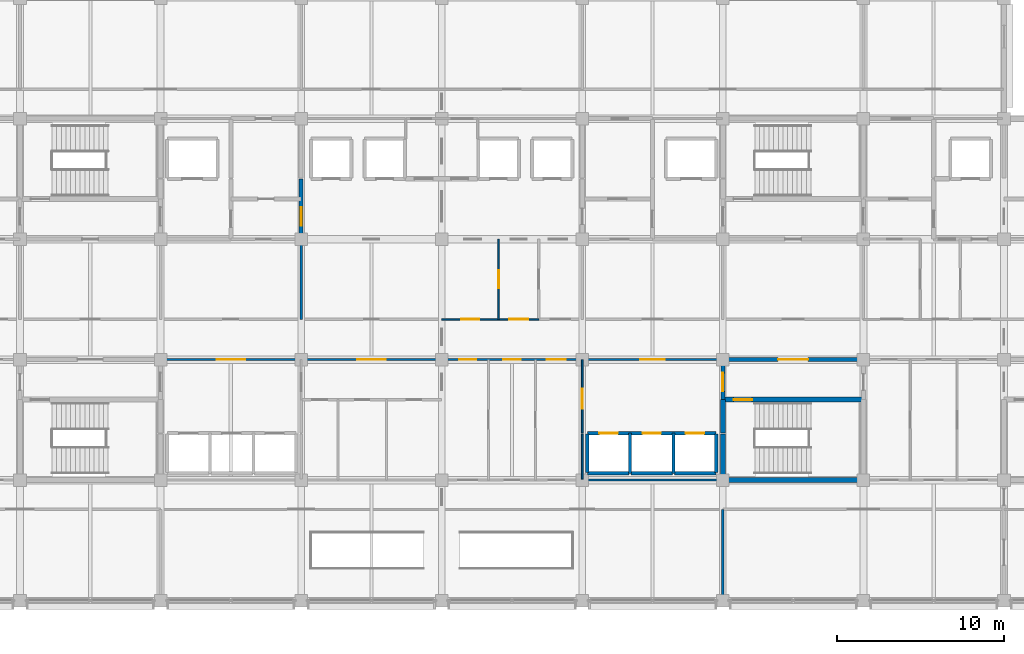
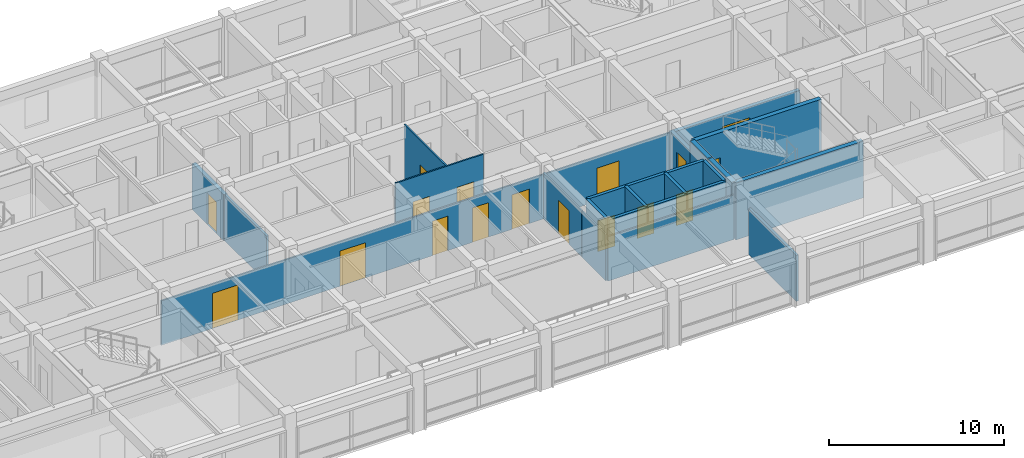
# One storey, part 15 of 23: 23 walls, 17 doors, 17 openings.
"""IFC4 building model written with IfcOpenShell, lengths in metres."""

from ifc_helpers import new_model, si_unit, direction, frame, frame_2d, origin, place, context, subcontext, project, spatial, rectangle, extrude, material, layer, layer_set, type_object, element, fill, save


model = new_model("IFC4")

# Units and contexts
model_context = context("Model", 3, precision=1e-05, world=origin(), true_north=direction((0.0, 1.0)))
body_context = subcontext(model_context, "Body", "Model", "MODEL_VIEW")
ifc_project = project(units=[si_unit("LENGTHUNIT", "METRE"), si_unit("AREAUNIT", "SQUARE_METRE"), si_unit("VOLUMEUNIT", "CUBIC_METRE"), si_unit("PLANEANGLEUNIT", "RADIAN"), si_unit("MASSUNIT", "GRAM", prefix="KILO")], contexts=[model_context])

# Site, building, storey
site_placement = place(None, origin())
site = spatial("IfcSite", under=ifc_project, at=site_placement, CompositionType="ELEMENT")
building_placement = place(site_placement, origin())
building = spatial("IfcBuilding", under=site, at=building_placement, Name="Chengyuan Square Courthouse", CompositionType="ELEMENT")
storey_placement = place(building_placement, frame((0.0, 0.0, 43.5)))
storey = spatial("IfcBuildingStorey", under=building, at=storey_placement, Name="L10", CompositionType="ELEMENT", Elevation=43.5)

# Wall, opening, door
ifc_material_1 = material(Name="Concrete C40", Category="concrete")
ifc_layer_1 = layer(ifc_material_1, 0.25)
ifc_layer_set_1 = layer_set([ifc_layer_1], Name="Concrete C40")
wall_type_1 = type_object("IfcWallType", Name="WL-FW1", PredefinedType="STANDARD", material=ifc_layer_set_1)
wall_1_placement = place(storey_placement, frame((100.800048828125, 93.60009765625, 0.0), z_axis=(0.0, 0.0, 1.0), x_axis=(1.0, 0.0, 0.0)))
wall_1 = element("IfcWall", 1, at=wall_1_placement, inside=storey, type_object=wall_type_1, Name="Interior Wall WL-L10-I3327", PredefinedType="STANDARD", context=body_context, shape_type="SweptSolid", body=[
    extrude(rectangle(XDim=8.39990234375, YDim=0.25, at=frame_2d((4.199951171875, 0.0))), origin(), (0.0, 0.0, 1.0), 3.10009765625),
])
opening_1_placement = place(wall_1_placement, frame((3.300048828125, 0.0, 0.0)))
opening_1 = element("IfcOpeningElement", 2, at=opening_1_placement, cuts=wall_1, Name="Opening DR-2787", PredefinedType="OPENING", context=body_context, shape_type="SweptSolid", body=[
    extrude(rectangle(XDim=1.800048828125, YDim=2.35009765625, at=frame_2d((0.89990234375, 1.175048828125))), frame((0.0, 0.136962890625, 0.0), z_axis=(0.0, -1.0, 0.0), x_axis=(1.0, 0.0, 0.0)), (0.0, 0.0, 1.0), 0.27392578125),
])
ifc_material_2 = material(Name="Steel Q235B Glazed Fire Door", Category="steel")
door_type_1 = type_object("IfcDoorType", Name="DT-18", OperationType="DOUBLE_DOOR_SINGLE_SWING", PredefinedType="DOOR", material=ifc_material_2)
door_1_placement = place(opening_1_placement, frame((1.800048828125, 0.0, 0.0), z_axis=(0.0, 0.0, 1.0), x_axis=(-1.0, 0.0, 0.0)))
door_1 = element("IfcDoor", 3, at=door_1_placement, inside=storey, type_object=door_type_1, Name="Interior Door DR-2787", OperationType="DOUBLE_DOOR_SINGLE_SWING", OverallHeight=2.35009765625, OverallWidth=1.800048828125, PredefinedType="DOOR", context=body_context, shape_type="SweptSolid", body=[
    extrude(rectangle(XDim=1.800048828125, YDim=2.35009765625, at=frame_2d((0.89990234375, 1.175048828125))), frame((0.0, 0.02490234375, 0.0), z_axis=(0.0, -1.0, 0.0), x_axis=(1.0, 0.0, 0.0)), (0.0, 0.0, 1.0), 0.050048828125),
])
fill(opening_1, door_1)

wall_2_placement = place(storey_placement, frame((75.60009765625, 100.800048828125, 0.0), z_axis=(0.0, 0.0, 1.0), x_axis=(0.0, 1.0, 0.0)))
wall_2 = element("IfcWall", 4, at=wall_2_placement, inside=storey, type_object=wall_type_1, Name="Interior Wall WL-L10-I3442", PredefinedType="STANDARD", context=body_context, shape_type="SweptSolid", body=[
    extrude(rectangle(XDim=3.599853515625, YDim=0.25, at=frame_2d((1.7998046875, 0.0))), origin(), (0.0, 0.0, 1.0), 3.199951171875),
])
opening_2_placement = place(wall_2_placement, frame((0.797607421875, 0.0, 0.0)))
opening_2 = element("IfcOpeningElement", 5, at=opening_2_placement, cuts=wall_2, Name="Opening DR-2795", PredefinedType="OPENING", context=body_context, shape_type="SweptSolid", body=[
    extrude(rectangle(XDim=1.10009765625, YDim=2.199951171875, at=frame_2d((0.550048828125, 1.10009765625))), frame((0.0, 0.136962890625, 0.0), z_axis=(0.0, -1.0, 0.0), x_axis=(1.0, 0.0, 0.0)), (0.0, 0.0, 1.0), 0.27392578125),
])
ifc_material_3 = material(Name="Steel Q235B Fire Door", Category="steel")
door_type_2 = type_object("IfcDoorType", Name="DT-10", OperationType="NOTDEFINED", PredefinedType="DOOR", material=ifc_material_3)
door_2_placement = place(opening_2_placement, origin())
door_2 = element("IfcDoor", 6, at=door_2_placement, inside=storey, type_object=door_type_2, Name="Interior Door DR-2795", OperationType="SINGLE_SWING_LEFT", OverallHeight=2.199951171875, OverallWidth=1.10009765625, PredefinedType="DOOR", context=body_context, shape_type="SweptSolid", body=[
    extrude(rectangle(XDim=1.10009765625, YDim=2.199951171875, at=frame_2d((0.550048828125, 1.10009765625))), frame((0.0, 0.02490234375, 0.0), z_axis=(0.0, -1.0, 0.0), x_axis=(1.0, 0.0, 0.0)), (0.0, 0.0, 1.0), 0.050048828125),
])
fill(opening_2, door_2)

wall_3_placement = place(storey_placement, frame((100.800048828125, 91.199951171875, 0.0), z_axis=(0.0, 0.0, 1.0), x_axis=(0.0, 1.0, 0.0)))
wall_3 = element("IfcWall", 7, at=wall_3_placement, inside=storey, type_object=wall_type_1, Name="Interior Wall WL-L10-I3479", PredefinedType="STANDARD", context=body_context, shape_type="SweptSolid", body=[
    extrude(rectangle(XDim=2.400146484375, YDim=0.25, at=frame_2d((1.2001953125, 0.0))), origin(), (0.0, 0.0, 1.0), 3.199951171875),
])
opening_3_placement = place(wall_3_placement, frame((0.50244140625, 0.0, 0.0)))
opening_3 = element("IfcOpeningElement", 8, at=opening_3_placement, cuts=wall_3, Name="Opening DR-2786", PredefinedType="OPENING", context=body_context, shape_type="SweptSolid", body=[
    extrude(rectangle(XDim=1.10009765625, YDim=2.199951171875, at=frame_2d((0.550048828125, 1.10009765625))), frame((0.0, 0.136962890625, 0.0), z_axis=(0.0, -1.0, 0.0), x_axis=(1.0, 0.0, 0.0)), (0.0, 0.0, 1.0), 0.27392578125),
])
door_3_placement = place(opening_3_placement, origin())
door_3 = element("IfcDoor", 9, at=door_3_placement, inside=storey, type_object=door_type_2, Name="Interior Door DR-2786", OperationType="SINGLE_SWING_LEFT", OverallHeight=2.199951171875, OverallWidth=1.10009765625, PredefinedType="DOOR", context=body_context, shape_type="SweptSolid", body=[
    extrude(rectangle(XDim=1.10009765625, YDim=2.199951171875, at=frame_2d((0.550048828125, 1.10009765625))), frame((0.0, 0.02490234375, 0.0), z_axis=(0.0, -1.0, 0.0), x_axis=(1.0, 0.0, 0.0)), (0.0, 0.0, 1.0), 0.050048828125),
])
fill(opening_3, door_3)

# Walls
ifc_material_4 = material(Name="Acoustic Timber-Lined Gypsum Partition", Category="wood")
ifc_layer_2 = layer(ifc_material_4, 0.159912109375)
ifc_layer_set_2 = layer_set([ifc_layer_2], Name="Acoustic Timber-Lined Gypsum Partition")
wall_type_2 = type_object("IfcWallType", Name="WL-PT2", PredefinedType="STANDARD", material=ifc_layer_set_2)
wall_4_placement = place(storey_placement, frame((100.800048828125, 79.239990234375, 0.0), z_axis=(0.0, 0.0, 1.0), x_axis=(0.0, 1.0, 0.0)))
element("IfcWall", 10, at=wall_4_placement, inside=storey, type_object=wall_type_2, Name="Interior Wall WL-L10-I3476", PredefinedType="STANDARD", context=body_context, shape_type="SweptSolid", body=[
    extrude(rectangle(XDim=5.409912109375, YDim=0.159912109375, at=frame_2d((2.705078125, 0.0))), origin(), (0.0, 0.0, 1.0), 3.199951171875),
])
ifc_material_5 = material(Name="Deliberation Room Sound-Insulated Partition")
ifc_layer_3 = layer(ifc_material_5, 0.14990234375)
ifc_layer_set_3 = layer_set([ifc_layer_3], Name="Deliberation Room Sound-Insulated Partition")
wall_type_3 = type_object("IfcWallType", Name="WL-PT3", PredefinedType="STANDARD", material=ifc_layer_set_3)
wall_5_placement = place(storey_placement, frame((75.60009765625, 96.0, 0.0), z_axis=(0.0, 0.0, 1.0), x_axis=(0.0, 1.0, 0.0)))
element("IfcWall", 11, at=wall_5_placement, inside=storey, type_object=wall_type_3, Name="Interior Wall WL-L10-I3441", PredefinedType="STANDARD", context=body_context, shape_type="SweptSolid", body=[
    extrude(rectangle(XDim=4.800048828125, YDim=0.14990234375, at=frame_2d((2.39990234375, 0.0))), origin(), (0.0, 0.0, 1.0), 3.199951171875),
])
ifc_material_6 = material(Name="Gypsum Plasterboard Acoustic Stud Partition")
ifc_layer_4 = layer(ifc_material_6, 0.10009765625)
ifc_layer_set_4 = layer_set([ifc_layer_4], Name="Gypsum Plasterboard Acoustic Stud Partition")
wall_type_4 = type_object("IfcWallType", Name="WL-PT6", PredefinedType="STANDARD", material=ifc_layer_set_4)
wall_6_placement = place(storey_placement, frame((92.449951171875, 86.39990234375, 0.0), z_axis=(0.0, 0.0, 1.0), x_axis=(1.0, 0.0, 0.0)))
element("IfcWall", 12, at=wall_6_placement, inside=storey, type_object=wall_type_4, Name="Interior Wall WL-L10-I3306", PredefinedType="STANDARD", context=body_context, shape_type="SweptSolid", body=[
    extrude(rectangle(XDim=8.300048828125, YDim=0.10009765625, at=frame_2d((4.14990234375, 0.0))), origin(), (0.0, 0.0, 1.0), 3.10009765625),
])

# Wall, openings, doors
wall_7_placement = place(storey_placement, frame((67.199951171875, 93.60009765625, 0.0), z_axis=(0.0, 0.0, 1.0), x_axis=(1.0, 0.0, 0.0)))
wall_7 = element("IfcWall", 13, at=wall_7_placement, inside=storey, type_object=wall_type_4, Name="Interior Wall WL-L10-I3326", PredefinedType="STANDARD", context=body_context, shape_type="SweptSolid", body=[
    extrude(rectangle(XDim=33.60009765625, YDim=0.10009765625, at=frame_2d((16.800048828125, 0.0))), origin(), (0.0, 0.0, 1.0), 3.10009765625),
])
opening_4_placement = place(wall_7_placement, frame((3.35009765625, 0.0, 0.0)))
opening_4 = element("IfcOpeningElement", 14, at=opening_4_placement, cuts=wall_7, Name="Opening DR-2819", PredefinedType="OPENING", context=body_context, shape_type="SweptSolid", body=[
    extrude(rectangle(XDim=1.699951171875, YDim=2.449951171875, at=frame_2d((0.85009765625, 1.22509765625))), frame((0.0, 0.06201171875, 0.0), z_axis=(0.0, -1.0, 0.0), x_axis=(1.0, 0.0, 0.0)), (0.0, 0.0, 1.0), 0.1240234375),
])
opening_5_placement = place(wall_7_placement, frame((28.675048828125, 0.0, 0.0)))
opening_5 = element("IfcOpeningElement", 15, at=opening_5_placement, cuts=wall_7, Name="Opening DR-2820", PredefinedType="OPENING", context=body_context, shape_type="SweptSolid", body=[
    extrude(rectangle(XDim=1.449951171875, YDim=2.300048828125, at=frame_2d((0.72509765625, 1.14990234375))), frame((0.0, 0.06201171875, 0.0), z_axis=(0.0, -1.0, 0.0), x_axis=(1.0, 0.0, 0.0)), (0.0, 0.0, 1.0), 0.1240234375),
])
opening_6_placement = place(wall_7_placement, frame((11.75, 0.0, 0.0)))
opening_6 = element("IfcOpeningElement", 16, at=opening_6_placement, cuts=wall_7, Name="Opening DR-2837", PredefinedType="OPENING", context=body_context, shape_type="SweptSolid", body=[
    extrude(rectangle(XDim=1.699951171875, YDim=2.449951171875, at=frame_2d((0.85009765625, 1.22509765625))), frame((0.0, 0.06201171875, 0.0), z_axis=(0.0, -1.0, 0.0), x_axis=(1.0, 0.0, 0.0)), (0.0, 0.0, 1.0), 0.1240234375),
])
opening_7_placement = place(wall_7_placement, frame((17.83740234375, 0.0, 0.0)))
opening_7 = element("IfcOpeningElement", 17, at=opening_7_placement, cuts=wall_7, Name="Opening DR-2860", PredefinedType="OPENING", context=body_context, shape_type="SweptSolid", body=[
    extrude(rectangle(XDim=1.02001953125, YDim=2.39990234375, at=frame_2d((0.510009765625, 1.199951171875))), frame((0.0, 0.06201171875, 0.0), z_axis=(0.0, -1.0, 0.0), x_axis=(1.0, 0.0, 0.0)), (0.0, 0.0, 1.0), 0.1240234375),
])
opening_8_placement = place(wall_7_placement, frame((20.469970703125, 0.0, 0.0)))
opening_8 = element("IfcOpeningElement", 18, at=opening_8_placement, cuts=wall_7, Name="Opening DR-2861", PredefinedType="OPENING", context=body_context, shape_type="SweptSolid", body=[
    extrude(rectangle(XDim=1.06005859375, YDim=2.39990234375, at=frame_2d((0.530029296875, 1.199951171875))), frame((0.0, 0.06201171875, 0.0), z_axis=(0.0, -1.0, 0.0), x_axis=(1.0, 0.0, 0.0)), (0.0, 0.0, 1.0), 0.1240234375),
])
opening_9_placement = place(wall_7_placement, frame((23.08251953125, 0.0, 0.0)))
opening_9 = element("IfcOpeningElement", 19, at=opening_9_placement, cuts=wall_7, Name="Opening DR-2862", PredefinedType="OPENING", context=body_context, shape_type="SweptSolid", body=[
    extrude(rectangle(XDim=1.139892578125, YDim=2.39990234375, at=frame_2d((0.56982421875, 1.199951171875))), frame((0.0, 0.06201171875, 0.0), z_axis=(0.0, -1.0, 0.0), x_axis=(1.0, 0.0, 0.0)), (0.0, 0.0, 1.0), 0.1240234375),
])
ifc_material_7 = material(Name="Acoustic Larch Veneer Double Door")
door_type_3 = type_object("IfcDoorType", Name="DT-24", OperationType="DOUBLE_DOOR_SINGLE_SWING", PredefinedType="DOOR", material=ifc_material_7)
door_4_placement = place(opening_4_placement, frame((1.699951171875, 0.0, 0.0), z_axis=(0.0, 0.0, 1.0), x_axis=(-1.0, 0.0, 0.0)))
door_4 = element("IfcDoor", 20, at=door_4_placement, inside=storey, type_object=door_type_3, Name="Interior Door DR-2819", OperationType="DOUBLE_DOOR_SINGLE_SWING", OverallHeight=2.449951171875, OverallWidth=1.699951171875, PredefinedType="DOOR", context=body_context, shape_type="SweptSolid", body=[
    extrude(rectangle(XDim=1.699951171875, YDim=2.449951171875, at=frame_2d((0.85009765625, 1.22509765625))), frame((0.0, 0.02490234375, 0.0), z_axis=(0.0, -1.0, 0.0), x_axis=(1.0, 0.0, 0.0)), (0.0, 0.0, 1.0), 0.050048828125),
])
fill(opening_4, door_4)
door_5_placement = place(opening_6_placement, frame((1.699951171875, 0.0, 0.0), z_axis=(0.0, 0.0, 1.0), x_axis=(-1.0, 0.0, 0.0)))
door_5 = element("IfcDoor", 21, at=door_5_placement, inside=storey, type_object=door_type_3, Name="Interior Door DR-2837", OperationType="DOUBLE_DOOR_SINGLE_SWING", OverallHeight=2.449951171875, OverallWidth=1.699951171875, PredefinedType="DOOR", context=body_context, shape_type="SweptSolid", body=[
    extrude(rectangle(XDim=1.699951171875, YDim=2.449951171875, at=frame_2d((0.85009765625, 1.22509765625))), frame((0.0, 0.02490234375, 0.0), z_axis=(0.0, -1.0, 0.0), x_axis=(1.0, 0.0, 0.0)), (0.0, 0.0, 1.0), 0.050048828125),
])
fill(opening_6, door_5)
door_type_4 = type_object("IfcDoorType", Name="DT-25", OperationType="DOUBLE_DOOR_SINGLE_SWING", PredefinedType="DOOR", material=ifc_material_7)
door_6_placement = place(opening_5_placement, frame((1.449951171875, 0.0, 0.0), z_axis=(0.0, 0.0, 1.0), x_axis=(-1.0, 0.0, 0.0)))
door_6 = element("IfcDoor", 22, at=door_6_placement, inside=storey, type_object=door_type_4, Name="Interior Door DR-2820", OperationType="DOUBLE_DOOR_SINGLE_SWING", OverallHeight=2.300048828125, OverallWidth=1.449951171875, PredefinedType="DOOR", context=body_context, shape_type="SweptSolid", body=[
    extrude(rectangle(XDim=1.449951171875, YDim=2.300048828125, at=frame_2d((0.72509765625, 1.14990234375))), frame((0.0, 0.02490234375, 0.0), z_axis=(0.0, -1.0, 0.0), x_axis=(1.0, 0.0, 0.0)), (0.0, 0.0, 1.0), 0.050048828125),
])
fill(opening_5, door_6)
ifc_material_8 = material(Name="Acoustic Solid-Core Timber Door", Category="wood")
door_type_5 = type_object("IfcDoorType", Name="DT-41", OperationType="NOTDEFINED", PredefinedType="DOOR", material=ifc_material_8)
door_7_placement = place(opening_7_placement, origin())
door_7 = element("IfcDoor", 23, at=door_7_placement, inside=storey, type_object=door_type_5, Name="Interior Door DR-2860", OperationType="SINGLE_SWING_RIGHT", OverallHeight=2.39990234375, OverallWidth=1.02001953125, PredefinedType="DOOR", context=body_context, shape_type="SweptSolid", body=[
    extrude(rectangle(XDim=1.02001953125, YDim=2.39990234375, at=frame_2d((0.510009765625, 1.199951171875))), frame((0.0, 0.02490234375, 0.0), z_axis=(0.0, -1.0, 0.0), x_axis=(1.0, 0.0, 0.0)), (0.0, 0.0, 1.0), 0.050048828125),
])
fill(opening_7, door_7)
door_type_6 = type_object("IfcDoorType", Name="DT-42", OperationType="NOTDEFINED", PredefinedType="DOOR", material=ifc_material_8)
door_8_placement = place(opening_8_placement, origin())
door_8 = element("IfcDoor", 24, at=door_8_placement, inside=storey, type_object=door_type_6, Name="Interior Door DR-2861", OperationType="SINGLE_SWING_LEFT", OverallHeight=2.39990234375, OverallWidth=1.06005859375, PredefinedType="DOOR", context=body_context, shape_type="SweptSolid", body=[
    extrude(rectangle(XDim=1.06005859375, YDim=2.39990234375, at=frame_2d((0.530029296875, 1.199951171875))), frame((0.0, 0.02490234375, 0.0), z_axis=(0.0, -1.0, 0.0), x_axis=(1.0, 0.0, 0.0)), (0.0, 0.0, 1.0), 0.050048828125),
])
fill(opening_8, door_8)
door_type_7 = type_object("IfcDoorType", Name="DT-43", OperationType="NOTDEFINED", PredefinedType="DOOR", material=ifc_material_8)
door_9_placement = place(opening_9_placement, origin())
door_9 = element("IfcDoor", 25, at=door_9_placement, inside=storey, type_object=door_type_7, Name="Interior Door DR-2862", OperationType="SINGLE_SWING_RIGHT", OverallHeight=2.39990234375, OverallWidth=1.139892578125, PredefinedType="DOOR", context=body_context, shape_type="SweptSolid", body=[
    extrude(rectangle(XDim=1.139892578125, YDim=2.39990234375, at=frame_2d((0.56982421875, 1.199951171875))), frame((0.0, 0.02490234375, 0.0), z_axis=(0.0, -1.0, 0.0), x_axis=(1.0, 0.0, 0.0)), (0.0, 0.0, 1.0), 0.050048828125),
])
fill(opening_9, door_9)

wall_8_placement = place(storey_placement, frame((84.0, 96.0, 0.0), z_axis=(0.0, 0.0, 1.0), x_axis=(1.0, 0.0, 0.0)))
wall_8 = element("IfcWall", 26, at=wall_8_placement, inside=storey, type_object=wall_type_4, Name="Interior Wall WL-L10-I3333", PredefinedType="STANDARD", context=body_context, shape_type="SweptSolid", body=[
    extrude(rectangle(XDim=5.800048828125, YDim=0.10009765625, at=frame_2d((2.89990234375, 0.0))), origin(), (0.0, 0.0, 1.0), 3.949951171875),
])
opening_10_placement = place(wall_8_placement, frame((1.159912109375, 0.0, 0.0)))
opening_10 = element("IfcOpeningElement", 27, at=opening_10_placement, cuts=wall_8, Name="Opening DR-2852", PredefinedType="OPENING", context=body_context, shape_type="SweptSolid", body=[
    extrude(rectangle(XDim=1.080078125, YDim=2.25, at=frame_2d((0.5400390625, 1.125))), frame((0.0, 0.06201171875, 0.0), z_axis=(0.0, -1.0, 0.0), x_axis=(1.0, 0.0, 0.0)), (0.0, 0.0, 1.0), 0.1240234375),
])
opening_11_placement = place(wall_8_placement, frame((4.0400390625, 0.0, 0.0)))
opening_11 = element("IfcOpeningElement", 28, at=opening_11_placement, cuts=wall_8, Name="Opening DR-2853", PredefinedType="OPENING", context=body_context, shape_type="SweptSolid", body=[
    extrude(rectangle(XDim=1.1201171875, YDim=2.25, at=frame_2d((0.56005859375, 1.125))), frame((0.0, 0.06201171875, 0.0), z_axis=(0.0, -1.0, 0.0), x_axis=(1.0, 0.0, 0.0)), (0.0, 0.0, 1.0), 0.1240234375),
])
door_type_8 = type_object("IfcDoorType", Name="DT-33", OperationType="NOTDEFINED", PredefinedType="DOOR", material=ifc_material_8)
door_10_placement = place(opening_10_placement, origin())
door_10 = element("IfcDoor", 29, at=door_10_placement, inside=storey, type_object=door_type_8, Name="Interior Door DR-2852", OperationType="SINGLE_SWING_RIGHT", OverallHeight=2.25, OverallWidth=1.080078125, PredefinedType="DOOR", context=body_context, shape_type="SweptSolid", body=[
    extrude(rectangle(XDim=1.080078125, YDim=2.25, at=frame_2d((0.5400390625, 1.125))), frame((0.0, 0.02490234375, 0.0), z_axis=(0.0, -1.0, 0.0), x_axis=(1.0, 0.0, 0.0)), (0.0, 0.0, 1.0), 0.050048828125),
])
fill(opening_10, door_10)
door_type_9 = type_object("IfcDoorType", Name="DT-34", OperationType="NOTDEFINED", PredefinedType="DOOR", material=ifc_material_8)
door_11_placement = place(opening_11_placement, origin())
door_11 = element("IfcDoor", 30, at=door_11_placement, inside=storey, type_object=door_type_9, Name="Interior Door DR-2853", OperationType="SINGLE_SWING_LEFT", OverallHeight=2.25, OverallWidth=1.1201171875, PredefinedType="DOOR", context=body_context, shape_type="SweptSolid", body=[
    extrude(rectangle(XDim=1.1201171875, YDim=2.25, at=frame_2d((0.56005859375, 1.125))), frame((0.0, 0.02490234375, 0.0), z_axis=(0.0, -1.0, 0.0), x_axis=(1.0, 0.0, 0.0)), (0.0, 0.0, 1.0), 0.050048828125),
])
fill(opening_11, door_11)

# Wall, opening, door
wall_9_placement = place(storey_placement, frame((87.39990234375, 96.0, 0.0), z_axis=(0.0, 0.0, 1.0), x_axis=(0.0, 1.0, 0.0)))
wall_9 = element("IfcWall", 31, at=wall_9_placement, inside=storey, type_object=wall_type_4, Name="Interior Wall WL-L10-I3456", PredefinedType="STANDARD", context=body_context, shape_type="SweptSolid", body=[
    extrude(rectangle(XDim=4.800048828125, YDim=0.10009765625, at=frame_2d((2.39990234375, 0.0))), origin(), (0.0, 0.0, 1.0), 3.949951171875),
])
opening_12_placement = place(wall_9_placement, frame((1.860107421875, 0.0, 0.0)))
opening_12 = element("IfcOpeningElement", 32, at=opening_12_placement, cuts=wall_9, Name="Opening DR-2869", PredefinedType="OPENING", context=body_context, shape_type="SweptSolid", body=[
    extrude(rectangle(XDim=1.080078125, YDim=2.25, at=frame_2d((0.5400390625, 1.125))), frame((0.0, 0.06201171875, 0.0), z_axis=(0.0, -1.0, 0.0), x_axis=(1.0, 0.0, 0.0)), (0.0, 0.0, 1.0), 0.1240234375),
])
door_12_placement = place(opening_12_placement, origin())
door_12 = element("IfcDoor", 33, at=door_12_placement, inside=storey, type_object=door_type_8, Name="Interior Door DR-2869", OperationType="SINGLE_SWING_LEFT", OverallHeight=2.25, OverallWidth=1.080078125, PredefinedType="DOOR", context=body_context, shape_type="SweptSolid", body=[
    extrude(rectangle(XDim=1.080078125, YDim=2.25, at=frame_2d((0.5400390625, 1.125))), frame((0.0, 0.02490234375, 0.0), z_axis=(0.0, -1.0, 0.0), x_axis=(1.0, 0.0, 0.0)), (0.0, 0.0, 1.0), 0.050048828125),
])
fill(opening_12, door_12)

# Wall
wall_10_placement = place(storey_placement, frame((92.39990234375, 86.449951171875, 0.0), z_axis=(0.0, 0.0, 1.0), x_axis=(0.0, 1.0, 0.0)))
element("IfcWall", 34, at=wall_10_placement, inside=storey, type_object=wall_type_4, Name="Interior Wall WL-L10-I3462", PredefinedType="STANDARD", context=body_context, shape_type="SweptSolid", body=[
    extrude(rectangle(XDim=2.699951171875, YDim=0.10009765625, at=frame_2d((1.35009765625, 0.0))), origin(), (0.0, 0.0, 1.0), 3.199951171875),
])

# Wall, opening, door
wall_11_placement = place(storey_placement, frame((92.39990234375, 89.199951171875, 0.0), z_axis=(0.0, 0.0, 1.0), x_axis=(0.0, 1.0, 0.0)))
wall_11 = element("IfcWall", 35, at=wall_11_placement, inside=storey, type_object=wall_type_4, Name="Interior Wall WL-L10-I3463", PredefinedType="STANDARD", context=body_context, shape_type="SweptSolid", body=[
    extrude(rectangle(XDim=4.400146484375, YDim=0.10009765625, at=frame_2d((2.2001953125, 0.0))), origin(), (0.0, 0.0, 1.0), 3.199951171875),
])
opening_13_placement = place(wall_11_placement, frame((1.452392578125, 0.0, 0.0)))
opening_13 = element("IfcOpeningElement", 36, at=opening_13_placement, cuts=wall_11, Name="Opening DR-2821", PredefinedType="OPENING", context=body_context, shape_type="SweptSolid", body=[
    extrude(rectangle(XDim=1.199951171875, YDim=2.35009765625, at=frame_2d((0.60009765625, 1.175048828125))), frame((0.0, 0.06201171875, 0.0), z_axis=(0.0, -1.0, 0.0), x_axis=(1.0, 0.0, 0.0)), (0.0, 0.0, 1.0), 0.1240234375),
])
door_type_10 = type_object("IfcDoorType", Name="DT-36", OperationType="NOTDEFINED", PredefinedType="DOOR", material=ifc_material_8)
door_13_placement = place(opening_13_placement, origin())
door_13 = element("IfcDoor", 37, at=door_13_placement, inside=storey, type_object=door_type_10, Name="Interior Door DR-2821", OperationType="SINGLE_SWING_RIGHT", OverallHeight=2.35009765625, OverallWidth=1.199951171875, PredefinedType="DOOR", context=body_context, shape_type="SweptSolid", body=[
    extrude(rectangle(XDim=1.199951171875, YDim=2.35009765625, at=frame_2d((0.60009765625, 1.175048828125))), frame((0.0, 0.02490234375, 0.0), z_axis=(0.0, -1.0, 0.0), x_axis=(1.0, 0.0, 0.0)), (0.0, 0.0, 1.0), 0.050048828125),
])
fill(opening_13, door_13)

# Walls
ifc_material_9 = material(Name="Reinforced Masonry Shaft Enclosure", Category="masonry")
ifc_layer_5 = layer(ifc_material_9, 0.199951171875)
ifc_layer_set_5 = layer_set([ifc_layer_5], Name="Reinforced Masonry Shaft Enclosure")
wall_type_5 = type_object("IfcWallType", Name="WL-SH1", PredefinedType="STANDARD", material=ifc_layer_set_5)
for number, where, z_axis, x_axis, name in (
    (38, (92.699951171875, 86.800048828125, 0.0), (0.0, 0.0, 1.0), (1.0, 0.0, 0.0), "Interior Wall WL-L10-I3313"),
    (39, (95.300048828125, 86.800048828125, 0.0), (0.0, 0.0, 1.0), (1.0, 0.0, 0.0), "Interior Wall WL-L10-I3314"),
    (40, (97.89990234375, 86.800048828125, 0.0), (0.0, 0.0, 1.0), (1.0, 0.0, 0.0), "Interior Wall WL-L10-I3315"),
):
    element("IfcWall", number, at=place(storey_placement, frame(where, z_axis=z_axis, x_axis=x_axis)), inside=storey, type_object=wall_type_5, Name=name, PredefinedType="STANDARD", context=body_context, shape_type="SweptSolid", body=[
        extrude(rectangle(XDim=2.5, YDim=0.199951171875, at=frame_2d((1.25, 0.0))), origin(), (0.0, 0.0, 1.0), 3.949951171875),
    ])

# Wall, openings, doors
wall_12_placement = place(storey_placement, frame((92.699951171875, 89.199951171875, 0.0), z_axis=(0.0, 0.0, 1.0), x_axis=(1.0, 0.0, 0.0)))
wall_12 = element("IfcWall", 41, at=wall_12_placement, inside=storey, type_object=wall_type_5, Name="Interior Wall WL-L10-I3317", PredefinedType="STANDARD", context=body_context, shape_type="SweptSolid", body=[
    extrude(rectangle(XDim=7.699951171875, YDim=0.199951171875, at=frame_2d((3.85009765625, 0.0))), origin(), (0.0, 0.0, 1.0), 3.949951171875),
])
opening_14_placement = place(wall_12_placement, frame((0.72509765625, 0.0, 0.0)))
opening_14 = element("IfcOpeningElement", 42, at=opening_14_placement, cuts=wall_12, Name="Opening LD-176", PredefinedType="OPENING", context=body_context, shape_type="SweptSolid", body=[
    extrude(rectangle(XDim=1.10009765625, YDim=2.14990234375, at=frame_2d((0.550048828125, 1.074951171875))), frame((0.0, 0.112060546875, 0.0), z_axis=(0.0, -1.0, 0.0), x_axis=(1.0, 0.0, 0.0)), (0.0, 0.0, 1.0), 0.223876953125),
])
opening_15_placement = place(wall_12_placement, frame((3.300048828125, 0.0, 0.0)))
opening_15 = element("IfcOpeningElement", 43, at=opening_15_placement, cuts=wall_12, Name="Opening LD-177", PredefinedType="OPENING", context=body_context, shape_type="SweptSolid", body=[
    extrude(rectangle(XDim=1.10009765625, YDim=2.14990234375, at=frame_2d((0.550048828125, 1.074951171875))), frame((0.0, 0.112060546875, 0.0), z_axis=(0.0, -1.0, 0.0), x_axis=(1.0, 0.0, 0.0)), (0.0, 0.0, 1.0), 0.223876953125),
])
opening_16_placement = place(wall_12_placement, frame((5.875, 0.0, 0.0)))
opening_16 = element("IfcOpeningElement", 44, at=opening_16_placement, cuts=wall_12, Name="Opening LD-178", PredefinedType="OPENING", context=body_context, shape_type="SweptSolid", body=[
    extrude(rectangle(XDim=1.10009765625, YDim=2.14990234375, at=frame_2d((0.550048828125, 1.074951171875))), frame((0.0, 0.112060546875, 0.0), z_axis=(0.0, -1.0, 0.0), x_axis=(1.0, 0.0, 0.0)), (0.0, 0.0, 1.0), 0.223876953125),
])
ifc_material_10 = material(Name="Stainless Steel S30408 Lift Landing Door", Category="steel")
door_type_11 = type_object("IfcDoorType", Name="DT-06", OperationType="DOUBLE_DOOR_SLIDING", PredefinedType="DOOR", material=ifc_material_10)
door_14_placement = place(opening_14_placement, origin())
door_14 = element("IfcDoor", 45, at=door_14_placement, inside=storey, type_object=door_type_11, Name="Lift Landing Door LF-P4 L10", OperationType="DOUBLE_DOOR_SLIDING", OverallHeight=2.14990234375, OverallWidth=1.10009765625, PredefinedType="DOOR", context=body_context, shape_type="SweptSolid", body=[
    extrude(rectangle(XDim=1.10009765625, YDim=2.14990234375, at=frame_2d((0.550048828125, 1.074951171875))), frame((0.0, 0.02490234375, 0.0), z_axis=(0.0, -1.0, 0.0), x_axis=(1.0, 0.0, 0.0)), (0.0, 0.0, 1.0), 0.050048828125),
])
fill(opening_14, door_14)
door_15_placement = place(opening_15_placement, origin())
door_15 = element("IfcDoor", 46, at=door_15_placement, inside=storey, type_object=door_type_11, Name="Lift Landing Door LF-P5 L10", OperationType="DOUBLE_DOOR_SLIDING", OverallHeight=2.14990234375, OverallWidth=1.10009765625, PredefinedType="DOOR", context=body_context, shape_type="SweptSolid", body=[
    extrude(rectangle(XDim=1.10009765625, YDim=2.14990234375, at=frame_2d((0.550048828125, 1.074951171875))), frame((0.0, 0.02490234375, 0.0), z_axis=(0.0, -1.0, 0.0), x_axis=(1.0, 0.0, 0.0)), (0.0, 0.0, 1.0), 0.050048828125),
])
fill(opening_15, door_15)
door_16_placement = place(opening_16_placement, origin())
door_16 = element("IfcDoor", 47, at=door_16_placement, inside=storey, type_object=door_type_11, Name="Lift Landing Door LF-P6 L10", OperationType="DOUBLE_DOOR_SLIDING", OverallHeight=2.14990234375, OverallWidth=1.10009765625, PredefinedType="DOOR", context=body_context, shape_type="SweptSolid", body=[
    extrude(rectangle(XDim=1.10009765625, YDim=2.14990234375, at=frame_2d((0.550048828125, 1.074951171875))), frame((0.0, 0.02490234375, 0.0), z_axis=(0.0, -1.0, 0.0), x_axis=(1.0, 0.0, 0.0)), (0.0, 0.0, 1.0), 0.050048828125),
])
fill(opening_16, door_16)

# Walls
wall_13_placement = place(storey_placement, frame((92.699951171875, 86.85009765625, 0.0), z_axis=(0.0, 0.0, 1.0), x_axis=(0.0, 1.0, 0.0)))
element("IfcWall", 48, at=wall_13_placement, inside=storey, type_object=wall_type_5, Name="Interior Wall WL-L10-I3468", PredefinedType="STANDARD", context=body_context, shape_type="SweptSolid", body=[
    extrude(rectangle(XDim=2.2998046875, YDim=0.199951171875, at=frame_2d((1.14990234375, 0.0))), origin(), (0.0, 0.0, 1.0), 3.949951171875),
])
for number, where, z_axis, x_axis, name in (
    (49, (95.25, 86.800048828125, 0.0), (0.0, 0.0, 1.0), (0.0, 1.0, 0.0), "Interior Wall WL-L10-I3469"),
    (50, (97.85009765625, 86.800048828125, 0.0), (0.0, 0.0, 1.0), (0.0, 1.0, 0.0), "Interior Wall WL-L10-I3473"),
):
    element("IfcWall", number, at=place(storey_placement, frame(where, z_axis=z_axis, x_axis=x_axis)), inside=storey, type_object=wall_type_5, Name=name, PredefinedType="STANDARD", context=body_context, shape_type="SweptSolid", body=[
        extrude(rectangle(XDim=2.39990234375, YDim=0.199951171875, at=frame_2d((1.199951171875, 0.0))), origin(), (0.0, 0.0, 1.0), 3.949951171875),
    ])
wall_14_placement = place(storey_placement, frame((100.39990234375, 86.85009765625, 0.0), z_axis=(0.0, 0.0, 1.0), x_axis=(0.0, 1.0, 0.0)))
element("IfcWall", 51, at=wall_14_placement, inside=storey, type_object=wall_type_5, Name="Interior Wall WL-L10-I3474", PredefinedType="STANDARD", context=body_context, shape_type="SweptSolid", body=[
    extrude(rectangle(XDim=2.2998046875, YDim=0.199951171875, at=frame_2d((1.14990234375, 0.0))), origin(), (0.0, 0.0, 1.0), 3.949951171875),
])
ifc_layer_6 = layer(ifc_material_1, 0.300048828125)
ifc_layer_set_6 = layer_set([ifc_layer_6], Name="Concrete C40")
wall_type_6 = type_object("IfcWallType", Name="WL-SW2", PredefinedType="SHEAR", material=ifc_layer_set_6)
wall_15_placement = place(storey_placement, frame((100.800048828125, 86.39990234375, 0.0), z_axis=(0.0, 0.0, 1.0), x_axis=(1.0, 0.0, 0.0)))
element("IfcWall", 52, at=wall_15_placement, inside=storey, type_object=wall_type_6, Name="Interior Wall WL-L10-I3307", PredefinedType="SHEAR", context=body_context, shape_type="SweptSolid", body=[
    extrude(rectangle(XDim=8.39990234375, YDim=0.300048828125, at=frame_2d((4.199951171875, 0.0))), origin(), (0.0, 0.0, 1.0), 3.949951171875),
])

# Wall, opening, door
wall_16_placement = place(storey_placement, frame((100.800048828125, 91.199951171875, 0.0), z_axis=(0.0, 0.0, 1.0), x_axis=(1.0, 0.0, 0.0)))
wall_16 = element("IfcWall", 53, at=wall_16_placement, inside=storey, type_object=wall_type_6, Name="Interior Wall WL-L10-I3321", PredefinedType="SHEAR", context=body_context, shape_type="SweptSolid", body=[
    extrude(rectangle(XDim=8.39990234375, YDim=0.300048828125, at=frame_2d((4.199951171875, 0.0))), origin(), (0.0, 0.0, 1.0), 3.949951171875),
])
opening_17_placement = place(wall_16_placement, frame((0.64990234375, 0.0, 0.0)))
opening_17 = element("IfcOpeningElement", 54, at=opening_17_placement, cuts=wall_16, Name="Opening DR-2774", PredefinedType="OPENING", context=body_context, shape_type="SweptSolid", body=[
    extrude(rectangle(XDim=1.10009765625, YDim=2.199951171875, at=frame_2d((0.550048828125, 1.10009765625))), frame((0.0, 0.162109375, 0.0), z_axis=(0.0, -1.0, 0.0), x_axis=(1.0, 0.0, 0.0)), (0.0, 0.0, 1.0), 0.323974609375),
])
door_17_placement = place(opening_17_placement, frame((1.10009765625, 0.0, 0.0), z_axis=(0.0, 0.0, 1.0), x_axis=(-1.0, 0.0, 0.0)))
door_17 = element("IfcDoor", 55, at=door_17_placement, inside=storey, type_object=door_type_2, Name="Smoke-Proof Stairwell Fire Door ST-4 DR-2774", OperationType="SINGLE_SWING_RIGHT", OverallHeight=2.199951171875, OverallWidth=1.10009765625, PredefinedType="DOOR", context=body_context, shape_type="SweptSolid", body=[
    extrude(rectangle(XDim=1.10009765625, YDim=2.199951171875, at=frame_2d((0.550048828125, 1.10009765625))), frame((0.0, 0.02490234375, 0.0), z_axis=(0.0, -1.0, 0.0), x_axis=(1.0, 0.0, 0.0)), (0.0, 0.0, 1.0), 0.050048828125),
])
fill(opening_17, door_17)

# Walls
wall_17_placement = place(storey_placement, frame((100.800048828125, 86.449951171875, 0.0), z_axis=(0.0, 0.0, 1.0), x_axis=(0.0, 1.0, 0.0)))
element("IfcWall", 56, at=wall_17_placement, inside=storey, type_object=wall_type_6, Name="Interior Wall WL-L10-I3477", PredefinedType="SHEAR", context=body_context, shape_type="SweptSolid", body=[
    extrude(rectangle(XDim=2.699951171875, YDim=0.300048828125, at=frame_2d((1.35009765625, 0.0))), origin(), (0.0, 0.0, 1.0), 3.949951171875),
])
wall_18_placement = place(storey_placement, frame((100.800048828125, 89.199951171875, 0.0), z_axis=(0.0, 0.0, 1.0), x_axis=(0.0, 1.0, 0.0)))
element("IfcWall", 57, at=wall_18_placement, inside=storey, type_object=wall_type_6, Name="Interior Wall WL-L10-I3478", PredefinedType="SHEAR", context=body_context, shape_type="SweptSolid", body=[
    extrude(rectangle(XDim=2.0, YDim=0.300048828125, at=frame_2d((1.0, 0.0))), origin(), (0.0, 0.0, 1.0), 3.949951171875),
])

save(model, "model.ifc")
